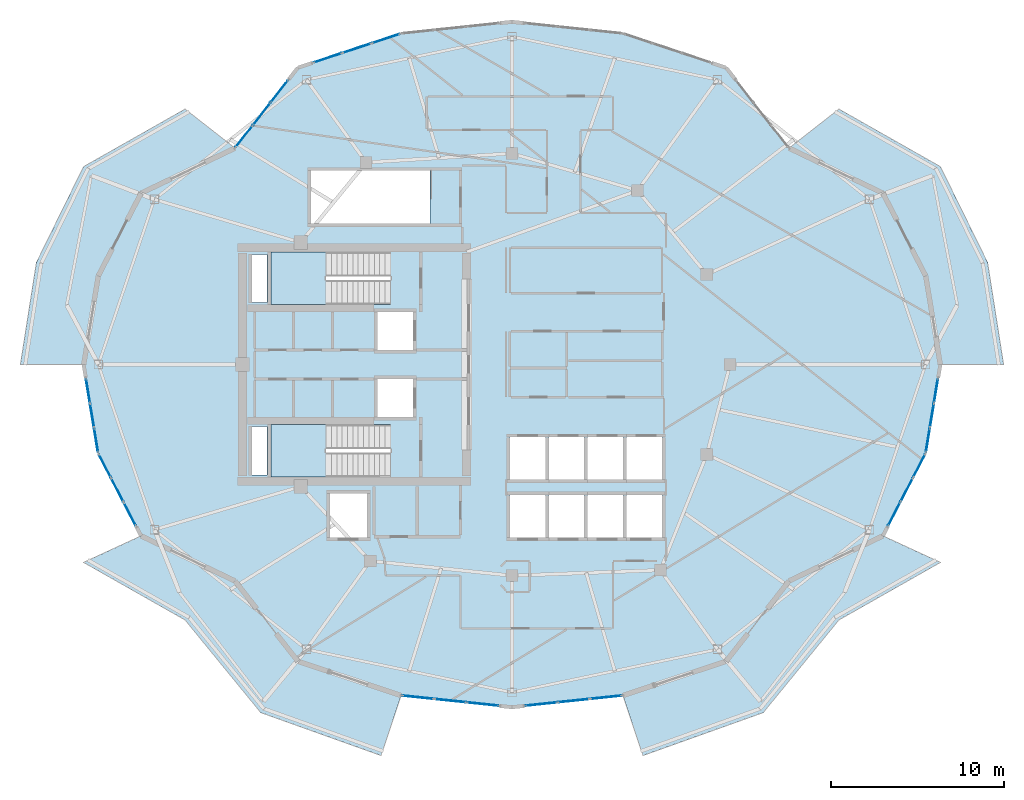
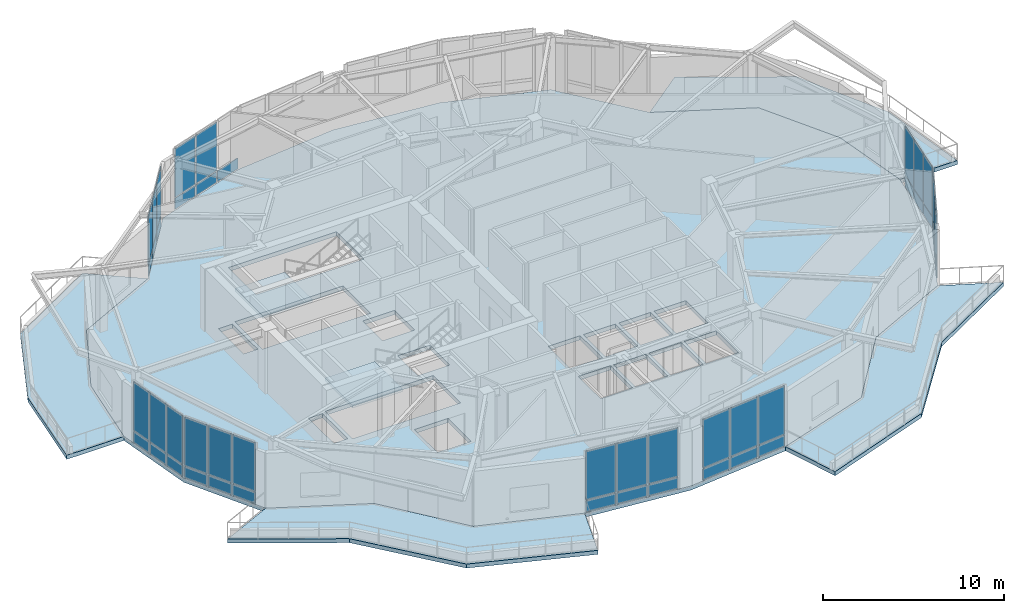
# One storey, part 7 of 15: 47 plates, 7 slabs, 10 elements without a shape of their own.
"""IFC4 building model written with IfcOpenShell, lengths in metres."""

from ifc_helpers import new_model, si_unit, direction, frame, origin, origin_2d, place, context, subcontext, project, spatial, polyline, rectangle, outline, extrude, material, layer, layer_set, type_object, element, aggregate, save


model = new_model("IFC4")

# Units and contexts
model_context = context("Model", 3, precision=1e-05, world=origin(), true_north=direction((0.0, 1.0)))
body_context = subcontext(model_context, "Body", "Model", "MODEL_VIEW")
ifc_project = project(units=[si_unit("LENGTHUNIT", "METRE"), si_unit("AREAUNIT", "SQUARE_METRE"), si_unit("VOLUMEUNIT", "CUBIC_METRE"), si_unit("PLANEANGLEUNIT", "RADIAN"), si_unit("MASSUNIT", "GRAM", prefix="KILO")], contexts=[model_context])

# Site, building, storey
site_placement = place(None, origin())
site = spatial("IfcSite", under=ifc_project, at=site_placement, CompositionType="ELEMENT")
building_placement = place(site_placement, origin())
building = spatial("IfcBuilding", under=site, at=building_placement, Name="Kolvaren Gate Tower and Convention Centre", CompositionType="ELEMENT")
storey_placement = place(building_placement, frame((0.0, 0.0, 191.89990234375)))
storey = spatial("IfcBuildingStorey", under=building, at=storey_placement, Name="L50", CompositionType="ELEMENT", Elevation=191.89990234375)

# Curtain wall, plates
ifc_material_1 = material(Name="Anodized Architectural Aluminium Alloy 6063-T6", Category="aluminium")
ifc_layer_1 = layer(ifc_material_1, 0.199951171875)
ifc_layer_set_1 = layer_set([ifc_layer_1], Name="Anodized Architectural Aluminium Alloy 6063-T6")
curtain_wall_type = type_object("IfcCurtainWallType", Name="CW-SKY-GLZ", PredefinedType="NOTDEFINED", material=ifc_layer_set_1)
curtain_wall_1_placement = place(storey_placement, origin())
curtain_wall_1 = element("IfcCurtainWall", 1, at=curtain_wall_1_placement, inside=storey, type_object=curtain_wall_type, Name="L50 Panoramic Structural Curtain Wall CW-07", PredefinedType="NOTDEFINED")
ifc_material_2 = material(Name="Low-E Triple Insulated Glazing Unit 44 mm", Category="glass")
ifc_layer_2 = layer(ifc_material_2, 0.0439453125)
ifc_layer_set_2 = layer_set([ifc_layer_2], Name="Low-E Triple Insulated Glazing Unit 44 mm")
plate_type_1 = type_object("IfcPlateType", Name="CW-PL-IGU-44", PredefinedType="CURTAIN_PANEL", material=ifc_layer_set_2)
plate_1_placement = place(storey_placement, frame((19.470703125, 44.717529296875, 0.887451171875), z_axis=(0.0, 0.0, 1.0), x_axis=(0.949239913474, 0.314552995008, 0.0)))
plate_1 = element("IfcPlate", 2, at=plate_1_placement, type_object=plate_type_1, Name="CW-05 panel 1.2", PredefinedType="CURTAIN_PANEL", context=body_context, shape_type="SweptSolid", body=[
    extrude(rectangle(XDim=1.685302734375, YDim=0.0439453125, at=origin_2d()), origin(), (0.0, 0.0, 1.0), 3.267578125),
])
plate_2_placement = place(storey_placement, frame((21.159423828125, 45.277099609375, 0.887451171875), z_axis=(0.0, 0.0, 1.0), x_axis=(0.949239913474, 0.314552995008, 0.0)))
plate_2 = element("IfcPlate", 3, at=plate_2_placement, type_object=plate_type_1, Name="CW-05 panel 2.2", PredefinedType="CURTAIN_PANEL", context=body_context, shape_type="SweptSolid", body=[
    extrude(rectangle(XDim=1.722900390625, YDim=0.0439453125, at=origin_2d()), origin(), (0.0, 0.0, 1.0), 3.267578125),
])

curtain_wall_2_placement = place(storey_placement, origin())
curtain_wall_2 = element("IfcCurtainWall", 4, at=curtain_wall_2_placement, inside=storey, type_object=curtain_wall_type, Name="L50 Panoramic Structural Curtain Wall CW-08", PredefinedType="NOTDEFINED")
plate_3_placement = place(storey_placement, frame((14.64453125, 40.180419921875, 0.887451171875), z_axis=(0.0, 0.0, 1.0), x_axis=(0.616429718179, 0.787409932974, 0.0)))
plate_3 = element("IfcPlate", 5, at=plate_3_placement, type_object=plate_type_1, Name="CW-05 panel 1.2", PredefinedType="CURTAIN_PANEL", context=body_context, shape_type="SweptSolid", body=[
    extrude(rectangle(XDim=1.559814453125, YDim=0.0439453125, at=origin_2d()), origin(), (0.0, 0.0, 1.0), 3.267578125),
])
plate_4_placement = place(storey_placement, frame((15.663818359375, 41.482421875, 0.887451171875), z_axis=(0.0, 0.0, 1.0), x_axis=(0.616429718179, 0.787409932974, 0.0)))
plate_4 = element("IfcPlate", 6, at=plate_4_placement, type_object=plate_type_1, Name="CW-05 panel 2.2", PredefinedType="CURTAIN_PANEL", context=body_context, shape_type="SweptSolid", body=[
    extrude(rectangle(XDim=1.597412109375, YDim=0.0439453125, at=origin_2d()), origin(), (0.0, 0.0, 1.0), 3.267578125),
])
plate_5_placement = place(storey_placement, frame((16.68310546875, 42.784423828125, 0.887451171875), z_axis=(0.0, 0.0, 1.0), x_axis=(0.616429718179, 0.787409932974, 0.0)))
plate_5 = element("IfcPlate", 7, at=plate_5_placement, type_object=plate_type_1, Name="CW-05 panel 3.2", PredefinedType="CURTAIN_PANEL", context=body_context, shape_type="SweptSolid", body=[
    extrude(rectangle(XDim=1.559814453125, YDim=0.0439453125, at=origin_2d()), origin(), (0.0, 0.0, 1.0), 3.267578125),
])

curtain_wall_3_placement = place(storey_placement, origin())
curtain_wall_3 = element("IfcCurtainWall", 8, at=curtain_wall_3_placement, inside=storey, type_object=curtain_wall_type, Name="L50 Panoramic Structural Curtain Wall CW-12", PredefinedType="NOTDEFINED")
plate_6_placement = place(storey_placement, frame((5.623779296875, 25.487548828125, 0.887451171875), z_axis=(0.0, 0.0, 1.0), x_axis=(0.162382406357, -0.98672790277, 0.0)))
plate_6 = element("IfcPlate", 9, at=plate_6_placement, type_object=plate_type_1, Name="CW-05 panel 1.2", PredefinedType="CURTAIN_PANEL", context=body_context, shape_type="SweptSolid", body=[
    extrude(rectangle(XDim=1.359375, YDim=0.0439453125, at=origin_2d()), origin(), (0.0, 0.0, 1.0), 3.267578125),
])
plate_7_placement = place(storey_placement, frame((5.85986328125, 24.053955078125, 0.887451171875), z_axis=(0.0, 0.0, 1.0), x_axis=(0.162382406357, -0.98672790277, 0.0)))
plate_7 = element("IfcPlate", 10, at=plate_7_placement, type_object=plate_type_1, Name="CW-05 panel 2.2", PredefinedType="CURTAIN_PANEL", context=body_context, shape_type="SweptSolid", body=[
    extrude(rectangle(XDim=1.396728515625, YDim=0.0439453125, at=origin_2d()), origin(), (0.0, 0.0, 1.0), 3.267578125),
])
plate_8_placement = place(storey_placement, frame((6.095703125, 22.6201171875, 0.887451171875), z_axis=(0.0, 0.0, 1.0), x_axis=(0.162382406357, -0.98672790277, 0.0)))
plate_8 = element("IfcPlate", 11, at=plate_8_placement, type_object=plate_type_1, Name="CW-05 panel 3.2", PredefinedType="CURTAIN_PANEL", context=body_context, shape_type="SweptSolid", body=[
    extrude(rectangle(XDim=1.359375, YDim=0.0439453125, at=origin_2d()), origin(), (0.0, 0.0, 1.0), 3.267578125),
])

curtain_wall_4_placement = place(storey_placement, origin())
curtain_wall_4 = element("IfcCurtainWall", 12, at=curtain_wall_4_placement, inside=storey, type_object=curtain_wall_type, Name="L50 Panoramic Structural Curtain Wall CW-13", PredefinedType="NOTDEFINED")
plate_9_placement = place(storey_placement, frame((6.593017578125, 21.15185546875, 0.887451171875), z_axis=(0.0, 0.0, 1.0), x_axis=(0.459798819197, -0.88802311111, 0.0)))
plate_9 = element("IfcPlate", 13, at=plate_9_placement, type_object=plate_type_1, Name="CW-05 panel 1.2", PredefinedType="CURTAIN_PANEL", context=body_context, shape_type="SweptSolid", body=[
    extrude(rectangle(XDim=1.4794921875, YDim=0.0439453125, at=origin_2d()), origin(), (0.0, 0.0, 1.0), 3.267578125),
])
plate_10_placement = place(storey_placement, frame((7.31640625, 19.7548828125, 0.887451171875), z_axis=(0.0, 0.0, 1.0), x_axis=(0.459798819197, -0.88802311111, 0.0)))
plate_10 = element("IfcPlate", 14, at=plate_10_placement, type_object=plate_type_1, Name="CW-05 panel 2.2", PredefinedType="CURTAIN_PANEL", context=body_context, shape_type="SweptSolid", body=[
    extrude(rectangle(XDim=1.51708984375, YDim=0.0439453125, at=origin_2d()), origin(), (0.0, 0.0, 1.0), 3.267578125),
])
plate_11_placement = place(storey_placement, frame((8.039794921875, 18.357666015625, 0.887451171875), z_axis=(0.0, 0.0, 1.0), x_axis=(0.459798819197, -0.88802311111, 0.0)))
plate_11 = element("IfcPlate", 15, at=plate_11_placement, type_object=plate_type_1, Name="CW-05 panel 3.2", PredefinedType="CURTAIN_PANEL", context=body_context, shape_type="SweptSolid", body=[
    extrude(rectangle(XDim=1.4794921875, YDim=0.0439453125, at=origin_2d()), origin(), (0.0, 0.0, 1.0), 3.267578125),
])

curtain_wall_5_placement = place(storey_placement, origin())
curtain_wall_5 = element("IfcCurtainWall", 16, at=curtain_wall_5_placement, inside=storey, type_object=curtain_wall_type, Name="L50 Panoramic Structural Curtain Wall CW-17", PredefinedType="NOTDEFINED")
plate_12_placement = place(storey_placement, frame((24.6845703125, 7.77294921875, 0.887451171875), z_axis=(0.0, 0.0, 1.0), x_axis=(0.994499215808, -0.104744020147, 0.0)))
plate_12 = element("IfcPlate", 17, at=plate_12_placement, type_object=plate_type_1, Name="CW-05 panel 1.2", PredefinedType="CURTAIN_PANEL", context=body_context, shape_type="SweptSolid", body=[
    extrude(rectangle(XDim=1.79150390625, YDim=0.0439453125, at=origin_2d()), origin(), (0.0, 0.0, 1.0), 3.267578125),
])
plate_13_placement = place(storey_placement, frame((26.5595703125, 7.575439453125, 0.887451171875), z_axis=(0.0, 0.0, 1.0), x_axis=(0.994499215808, -0.104744020147, 0.0)))
plate_13 = element("IfcPlate", 18, at=plate_13_placement, type_object=plate_type_1, Name="CW-05 panel 2.2", PredefinedType="CURTAIN_PANEL", context=body_context, shape_type="SweptSolid", body=[
    extrude(rectangle(XDim=1.8291015625, YDim=0.0439453125, at=origin_2d()), origin(), (0.0, 0.0, 1.0), 3.267578125),
])
plate_14_placement = place(storey_placement, frame((28.434326171875, 7.378173828125, 0.887451171875), z_axis=(0.0, 0.0, 1.0), x_axis=(0.994499215808, -0.104744020147, 0.0)))
plate_14 = element("IfcPlate", 19, at=plate_14_placement, type_object=plate_type_1, Name="CW-05 panel 3.2", PredefinedType="CURTAIN_PANEL", context=body_context, shape_type="SweptSolid", body=[
    extrude(rectangle(XDim=1.79150390625, YDim=0.0439453125, at=origin_2d()), origin(), (0.0, 0.0, 1.0), 3.267578125),
])

curtain_wall_6_placement = place(storey_placement, origin())
curtain_wall_6 = element("IfcCurtainWall", 20, at=curtain_wall_6_placement, inside=storey, type_object=curtain_wall_type, Name="L50 Panoramic Structural Curtain Wall CW-18", PredefinedType="NOTDEFINED")
plate_15_placement = place(storey_placement, frame((31.8154296875, 7.378173828125, 0.887451171875), z_axis=(0.0, 0.0, 1.0), x_axis=(0.994499599937, 0.104740372947, 0.0)))
plate_15 = element("IfcPlate", 21, at=plate_15_placement, type_object=plate_type_1, Name="CW-05 panel 1.2", PredefinedType="CURTAIN_PANEL", context=body_context, shape_type="SweptSolid", body=[
    extrude(rectangle(XDim=1.79150390625, YDim=0.0439453125, at=origin_2d()), origin(), (0.0, 0.0, 1.0), 3.267578125),
])
plate_16_placement = place(storey_placement, frame((33.6904296875, 7.575439453125, 0.887451171875), z_axis=(0.0, 0.0, 1.0), x_axis=(0.994499599937, 0.104740372947, 0.0)))
plate_16 = element("IfcPlate", 22, at=plate_16_placement, type_object=plate_type_1, Name="CW-05 panel 2.2", PredefinedType="CURTAIN_PANEL", context=body_context, shape_type="SweptSolid", body=[
    extrude(rectangle(XDim=1.8291015625, YDim=0.0439453125, at=origin_2d()), origin(), (0.0, 0.0, 1.0), 3.267578125),
])
plate_17_placement = place(storey_placement, frame((35.5654296875, 7.77294921875, 0.887451171875), z_axis=(0.0, 0.0, 1.0), x_axis=(0.994499599937, 0.104740372947, 0.0)))
plate_17 = element("IfcPlate", 23, at=plate_17_placement, type_object=plate_type_1, Name="CW-05 panel 3.2", PredefinedType="CURTAIN_PANEL", context=body_context, shape_type="SweptSolid", body=[
    extrude(rectangle(XDim=1.79150390625, YDim=0.0439453125, at=origin_2d()), origin(), (0.0, 0.0, 1.0), 3.267578125),
])

curtain_wall_7_placement = place(storey_placement, origin())
curtain_wall_7 = element("IfcCurtainWall", 24, at=curtain_wall_7_placement, inside=storey, type_object=curtain_wall_type, Name="L50 Panoramic Structural Curtain Wall CW-22", PredefinedType="NOTDEFINED")
plate_18_placement = place(storey_placement, frame((52.21044921875, 18.358154296875, 0.887451171875), z_axis=(0.0, 0.0, 1.0), x_axis=(0.459799993472, 0.888022503095, 0.0)))
plate_18 = element("IfcPlate", 25, at=plate_18_placement, type_object=plate_type_1, Name="CW-05 panel 1.2", PredefinedType="CURTAIN_PANEL", context=body_context, shape_type="SweptSolid", body=[
    extrude(rectangle(XDim=1.479248046875, YDim=0.0439453125, at=origin_2d()), origin(), (0.0, 0.0, 1.0), 3.267578125),
])
plate_19_placement = place(storey_placement, frame((52.933837890625, 19.7548828125, 0.887451171875), z_axis=(0.0, 0.0, 1.0), x_axis=(0.459799993472, 0.888022503095, 0.0)))
plate_19 = element("IfcPlate", 26, at=plate_19_placement, type_object=plate_type_1, Name="CW-05 panel 2.2", PredefinedType="CURTAIN_PANEL", context=body_context, shape_type="SweptSolid", body=[
    extrude(rectangle(XDim=1.516845703125, YDim=0.0439453125, at=origin_2d()), origin(), (0.0, 0.0, 1.0), 3.267578125),
])
plate_20_placement = place(storey_placement, frame((53.6572265625, 21.15185546875, 0.887451171875), z_axis=(0.0, 0.0, 1.0), x_axis=(0.459799993472, 0.888022503095, 0.0)))
plate_20 = element("IfcPlate", 27, at=plate_20_placement, type_object=plate_type_1, Name="CW-05 panel 3.2", PredefinedType="CURTAIN_PANEL", context=body_context, shape_type="SweptSolid", body=[
    extrude(rectangle(XDim=1.479248046875, YDim=0.0439453125, at=origin_2d()), origin(), (0.0, 0.0, 1.0), 3.267578125),
])

curtain_wall_8_placement = place(storey_placement, origin())
curtain_wall_8 = element("IfcCurtainWall", 28, at=curtain_wall_8_placement, inside=storey, type_object=curtain_wall_type, Name="L50 Panoramic Structural Curtain Wall CW-23", PredefinedType="NOTDEFINED")
plate_21_placement = place(storey_placement, frame((54.154296875, 22.6201171875, 0.887451171875), z_axis=(0.0, 0.0, 1.0), x_axis=(0.162364264646, 0.986730888118, 0.0)))
plate_21 = element("IfcPlate", 29, at=plate_21_placement, type_object=plate_type_1, Name="CW-05 panel 1.2", PredefinedType="CURTAIN_PANEL", context=body_context, shape_type="SweptSolid", body=[
    extrude(rectangle(XDim=1.359619140625, YDim=0.0439453125, at=origin_2d()), origin(), (0.0, 0.0, 1.0), 3.267578125),
])
plate_22_placement = place(storey_placement, frame((54.39013671875, 24.05419921875, 0.887451171875), z_axis=(0.0, 0.0, 1.0), x_axis=(0.162364264646, 0.986730888118, 0.0)))
plate_22 = element("IfcPlate", 30, at=plate_22_placement, type_object=plate_type_1, Name="CW-05 panel 2.2", PredefinedType="CURTAIN_PANEL", context=body_context, shape_type="SweptSolid", body=[
    extrude(rectangle(XDim=1.39697265625, YDim=0.0439453125, at=origin_2d()), origin(), (0.0, 0.0, 1.0), 3.267578125),
])
plate_23_placement = place(storey_placement, frame((54.626220703125, 25.488037109375, 0.887451171875), z_axis=(0.0, 0.0, 1.0), x_axis=(0.162364264646, 0.986730888118, 0.0)))
plate_23 = element("IfcPlate", 31, at=plate_23_placement, type_object=plate_type_1, Name="CW-05 panel 3.2", PredefinedType="CURTAIN_PANEL", context=body_context, shape_type="SweptSolid", body=[
    extrude(rectangle(XDim=1.359619140625, YDim=0.0439453125, at=origin_2d()), origin(), (0.0, 0.0, 1.0), 3.267578125),
])

# Plate
ifc_material_3 = material(Name="Solar-Control Laminated Curtain Glazing 36 mm", Category="glass")
ifc_layer_3 = layer(ifc_material_3, 0.035888671875)
ifc_layer_set_3 = layer_set([ifc_layer_3], Name="Solar-Control Laminated Curtain Glazing 36 mm")
plate_type_2 = type_object("IfcPlateType", Name="CW-PL-SPAN-36", PredefinedType="CURTAIN_PANEL", material=ifc_layer_set_3)
plate_24_placement = place(storey_placement, frame((19.470703125, 44.717529296875, 0.0751953125), z_axis=(0.0, 0.0, 1.0), x_axis=(0.949239913474, 0.314552995008, 0.0)))
plate_24 = element("IfcPlate", 32, at=plate_24_placement, type_object=plate_type_2, Name="CW-05 panel 1.1", PredefinedType="CURTAIN_PANEL", context=body_context, shape_type="SweptSolid", body=[
    extrude(rectangle(XDim=1.685302734375, YDim=0.035888671875, at=origin_2d()), origin(), (0.0, 0.0, 1.0), 0.737548828125),
])

plate_25_placement = place(storey_placement, frame((21.159423828125, 45.277099609375, 0.0751953125), z_axis=(0.0, 0.0, 1.0), x_axis=(0.949239913474, 0.314552995008, 0.0)))
plate_25 = element("IfcPlate", 33, at=plate_25_placement, type_object=plate_type_2, Name="CW-05 panel 2.1", PredefinedType="CURTAIN_PANEL", context=body_context, shape_type="SweptSolid", body=[
    extrude(rectangle(XDim=1.722900390625, YDim=0.035888671875, at=origin_2d()), origin(), (0.0, 0.0, 1.0), 0.737548828125),
])

plate_26_placement = place(storey_placement, frame((22.84814453125, 45.836669921875, 0.0751953125), z_axis=(0.0, 0.0, 1.0), x_axis=(0.949239913474, 0.314552995008, 0.0)))
plate_26 = element("IfcPlate", 34, at=plate_26_placement, type_object=plate_type_2, Name="CW-05 panel 3.1", PredefinedType="CURTAIN_PANEL", context=body_context, shape_type="SweptSolid", body=[
    extrude(rectangle(XDim=1.685302734375, YDim=0.035888671875, at=origin_2d()), origin(), (0.0, 0.0, 1.0), 0.737548828125),
])

aggregate(curtain_wall_1, [plate_24, plate_1, plate_25, plate_2, plate_26])

plate_27_placement = place(storey_placement, frame((14.64453125, 40.180419921875, 0.0751953125), z_axis=(0.0, 0.0, 1.0), x_axis=(0.616429718179, 0.787409932974, 0.0)))
plate_27 = element("IfcPlate", 35, at=plate_27_placement, type_object=plate_type_2, Name="CW-05 panel 1.1", PredefinedType="CURTAIN_PANEL", context=body_context, shape_type="SweptSolid", body=[
    extrude(rectangle(XDim=1.559814453125, YDim=0.035888671875, at=origin_2d()), origin(), (0.0, 0.0, 1.0), 0.737548828125),
])

plate_28_placement = place(storey_placement, frame((15.663818359375, 41.482421875, 0.0751953125), z_axis=(0.0, 0.0, 1.0), x_axis=(0.616429718179, 0.787409932974, 0.0)))
plate_28 = element("IfcPlate", 36, at=plate_28_placement, type_object=plate_type_2, Name="CW-05 panel 2.1", PredefinedType="CURTAIN_PANEL", context=body_context, shape_type="SweptSolid", body=[
    extrude(rectangle(XDim=1.597412109375, YDim=0.035888671875, at=origin_2d()), origin(), (0.0, 0.0, 1.0), 0.737548828125),
])

plate_29_placement = place(storey_placement, frame((16.68310546875, 42.784423828125, 0.0751953125), z_axis=(0.0, 0.0, 1.0), x_axis=(0.616429718179, 0.787409932974, 0.0)))
plate_29 = element("IfcPlate", 37, at=plate_29_placement, type_object=plate_type_2, Name="CW-05 panel 3.1", PredefinedType="CURTAIN_PANEL", context=body_context, shape_type="SweptSolid", body=[
    extrude(rectangle(XDim=1.559814453125, YDim=0.035888671875, at=origin_2d()), origin(), (0.0, 0.0, 1.0), 0.737548828125),
])

aggregate(curtain_wall_2, [plate_27, plate_3, plate_28, plate_4, plate_29, plate_5])

plate_30_placement = place(storey_placement, frame((5.623779296875, 25.487548828125, 0.0751953125), z_axis=(0.0, 0.0, 1.0), x_axis=(0.162382406357, -0.98672790277, 0.0)))
plate_30 = element("IfcPlate", 38, at=plate_30_placement, type_object=plate_type_2, Name="CW-05 panel 1.1", PredefinedType="CURTAIN_PANEL", context=body_context, shape_type="SweptSolid", body=[
    extrude(rectangle(XDim=1.359375, YDim=0.035888671875, at=origin_2d()), origin(), (0.0, 0.0, 1.0), 0.737548828125),
])

plate_31_placement = place(storey_placement, frame((5.85986328125, 24.053955078125, 0.0751953125), z_axis=(0.0, 0.0, 1.0), x_axis=(0.162382406357, -0.98672790277, 0.0)))
plate_31 = element("IfcPlate", 39, at=plate_31_placement, type_object=plate_type_2, Name="CW-05 panel 2.1", PredefinedType="CURTAIN_PANEL", context=body_context, shape_type="SweptSolid", body=[
    extrude(rectangle(XDim=1.396728515625, YDim=0.035888671875, at=origin_2d()), origin(), (0.0, 0.0, 1.0), 0.737548828125),
])

plate_32_placement = place(storey_placement, frame((6.095703125, 22.6201171875, 0.0751953125), z_axis=(0.0, 0.0, 1.0), x_axis=(0.162382406357, -0.98672790277, 0.0)))
plate_32 = element("IfcPlate", 40, at=plate_32_placement, type_object=plate_type_2, Name="CW-05 panel 3.1", PredefinedType="CURTAIN_PANEL", context=body_context, shape_type="SweptSolid", body=[
    extrude(rectangle(XDim=1.359375, YDim=0.035888671875, at=origin_2d()), origin(), (0.0, 0.0, 1.0), 0.737548828125),
])

aggregate(curtain_wall_3, [plate_30, plate_6, plate_31, plate_7, plate_32, plate_8])

plate_33_placement = place(storey_placement, frame((6.593017578125, 21.15185546875, 0.0751953125), z_axis=(0.0, 0.0, 1.0), x_axis=(0.459798819197, -0.88802311111, 0.0)))
plate_33 = element("IfcPlate", 41, at=plate_33_placement, type_object=plate_type_2, Name="CW-05 panel 1.1", PredefinedType="CURTAIN_PANEL", context=body_context, shape_type="SweptSolid", body=[
    extrude(rectangle(XDim=1.4794921875, YDim=0.035888671875, at=origin_2d()), origin(), (0.0, 0.0, 1.0), 0.737548828125),
])

plate_34_placement = place(storey_placement, frame((7.31640625, 19.7548828125, 0.0751953125), z_axis=(0.0, 0.0, 1.0), x_axis=(0.459798819197, -0.88802311111, 0.0)))
plate_34 = element("IfcPlate", 42, at=plate_34_placement, type_object=plate_type_2, Name="CW-05 panel 2.1", PredefinedType="CURTAIN_PANEL", context=body_context, shape_type="SweptSolid", body=[
    extrude(rectangle(XDim=1.51708984375, YDim=0.035888671875, at=origin_2d()), origin(), (0.0, 0.0, 1.0), 0.737548828125),
])

plate_35_placement = place(storey_placement, frame((8.039794921875, 18.357666015625, 0.0751953125), z_axis=(0.0, 0.0, 1.0), x_axis=(0.459798819197, -0.88802311111, 0.0)))
plate_35 = element("IfcPlate", 43, at=plate_35_placement, type_object=plate_type_2, Name="CW-05 panel 3.1", PredefinedType="CURTAIN_PANEL", context=body_context, shape_type="SweptSolid", body=[
    extrude(rectangle(XDim=1.4794921875, YDim=0.035888671875, at=origin_2d()), origin(), (0.0, 0.0, 1.0), 0.737548828125),
])

aggregate(curtain_wall_4, [plate_33, plate_9, plate_34, plate_10, plate_35, plate_11])

plate_36_placement = place(storey_placement, frame((24.6845703125, 7.77294921875, 0.0751953125), z_axis=(0.0, 0.0, 1.0), x_axis=(0.994499215808, -0.104744020147, 0.0)))
plate_36 = element("IfcPlate", 44, at=plate_36_placement, type_object=plate_type_2, Name="CW-05 panel 1.1", PredefinedType="CURTAIN_PANEL", context=body_context, shape_type="SweptSolid", body=[
    extrude(rectangle(XDim=1.79150390625, YDim=0.035888671875, at=origin_2d()), origin(), (0.0, 0.0, 1.0), 0.737548828125),
])

plate_37_placement = place(storey_placement, frame((26.5595703125, 7.575439453125, 0.0751953125), z_axis=(0.0, 0.0, 1.0), x_axis=(0.994499215808, -0.104744020147, 0.0)))
plate_37 = element("IfcPlate", 45, at=plate_37_placement, type_object=plate_type_2, Name="CW-05 panel 2.1", PredefinedType="CURTAIN_PANEL", context=body_context, shape_type="SweptSolid", body=[
    extrude(rectangle(XDim=1.8291015625, YDim=0.035888671875, at=origin_2d()), origin(), (0.0, 0.0, 1.0), 0.737548828125),
])

plate_38_placement = place(storey_placement, frame((28.434326171875, 7.378173828125, 0.0751953125), z_axis=(0.0, 0.0, 1.0), x_axis=(0.994499215808, -0.104744020147, 0.0)))
plate_38 = element("IfcPlate", 46, at=plate_38_placement, type_object=plate_type_2, Name="CW-05 panel 3.1", PredefinedType="CURTAIN_PANEL", context=body_context, shape_type="SweptSolid", body=[
    extrude(rectangle(XDim=1.79150390625, YDim=0.035888671875, at=origin_2d()), origin(), (0.0, 0.0, 1.0), 0.737548828125),
])

aggregate(curtain_wall_5, [plate_36, plate_12, plate_37, plate_13, plate_38, plate_14])

plate_39_placement = place(storey_placement, frame((31.8154296875, 7.378173828125, 0.0751953125), z_axis=(0.0, 0.0, 1.0), x_axis=(0.994499599937, 0.104740372947, 0.0)))
plate_39 = element("IfcPlate", 47, at=plate_39_placement, type_object=plate_type_2, Name="CW-05 panel 1.1", PredefinedType="CURTAIN_PANEL", context=body_context, shape_type="SweptSolid", body=[
    extrude(rectangle(XDim=1.79150390625, YDim=0.035888671875, at=origin_2d()), origin(), (0.0, 0.0, 1.0), 0.737548828125),
])

plate_40_placement = place(storey_placement, frame((33.6904296875, 7.575439453125, 0.0751953125), z_axis=(0.0, 0.0, 1.0), x_axis=(0.994499599937, 0.104740372947, 0.0)))
plate_40 = element("IfcPlate", 48, at=plate_40_placement, type_object=plate_type_2, Name="CW-05 panel 2.1", PredefinedType="CURTAIN_PANEL", context=body_context, shape_type="SweptSolid", body=[
    extrude(rectangle(XDim=1.8291015625, YDim=0.035888671875, at=origin_2d()), origin(), (0.0, 0.0, 1.0), 0.737548828125),
])

plate_41_placement = place(storey_placement, frame((35.5654296875, 7.77294921875, 0.0751953125), z_axis=(0.0, 0.0, 1.0), x_axis=(0.994499599937, 0.104740372947, 0.0)))
plate_41 = element("IfcPlate", 49, at=plate_41_placement, type_object=plate_type_2, Name="CW-05 panel 3.1", PredefinedType="CURTAIN_PANEL", context=body_context, shape_type="SweptSolid", body=[
    extrude(rectangle(XDim=1.79150390625, YDim=0.035888671875, at=origin_2d()), origin(), (0.0, 0.0, 1.0), 0.737548828125),
])

aggregate(curtain_wall_6, [plate_39, plate_15, plate_40, plate_16, plate_41, plate_17])

plate_42_placement = place(storey_placement, frame((52.21044921875, 18.358154296875, 0.0751953125), z_axis=(0.0, 0.0, 1.0), x_axis=(0.459799993472, 0.888022503095, 0.0)))
plate_42 = element("IfcPlate", 50, at=plate_42_placement, type_object=plate_type_2, Name="CW-05 panel 1.1", PredefinedType="CURTAIN_PANEL", context=body_context, shape_type="SweptSolid", body=[
    extrude(rectangle(XDim=1.479248046875, YDim=0.035888671875, at=origin_2d()), origin(), (0.0, 0.0, 1.0), 0.737548828125),
])

plate_43_placement = place(storey_placement, frame((52.933837890625, 19.7548828125, 0.0751953125), z_axis=(0.0, 0.0, 1.0), x_axis=(0.459799993472, 0.888022503095, 0.0)))
plate_43 = element("IfcPlate", 51, at=plate_43_placement, type_object=plate_type_2, Name="CW-05 panel 2.1", PredefinedType="CURTAIN_PANEL", context=body_context, shape_type="SweptSolid", body=[
    extrude(rectangle(XDim=1.516845703125, YDim=0.035888671875, at=origin_2d()), origin(), (0.0, 0.0, 1.0), 0.737548828125),
])

plate_44_placement = place(storey_placement, frame((53.6572265625, 21.15185546875, 0.0751953125), z_axis=(0.0, 0.0, 1.0), x_axis=(0.459799993472, 0.888022503095, 0.0)))
plate_44 = element("IfcPlate", 52, at=plate_44_placement, type_object=plate_type_2, Name="CW-05 panel 3.1", PredefinedType="CURTAIN_PANEL", context=body_context, shape_type="SweptSolid", body=[
    extrude(rectangle(XDim=1.479248046875, YDim=0.035888671875, at=origin_2d()), origin(), (0.0, 0.0, 1.0), 0.737548828125),
])

aggregate(curtain_wall_7, [plate_42, plate_18, plate_43, plate_19, plate_44, plate_20])

plate_45_placement = place(storey_placement, frame((54.154296875, 22.6201171875, 0.0751953125), z_axis=(0.0, 0.0, 1.0), x_axis=(0.162364264646, 0.986730888118, 0.0)))
plate_45 = element("IfcPlate", 53, at=plate_45_placement, type_object=plate_type_2, Name="CW-05 panel 1.1", PredefinedType="CURTAIN_PANEL", context=body_context, shape_type="SweptSolid", body=[
    extrude(rectangle(XDim=1.359619140625, YDim=0.035888671875, at=origin_2d()), origin(), (0.0, 0.0, 1.0), 0.737548828125),
])

plate_46_placement = place(storey_placement, frame((54.39013671875, 24.05419921875, 0.0751953125), z_axis=(0.0, 0.0, 1.0), x_axis=(0.162364264646, 0.986730888118, 0.0)))
plate_46 = element("IfcPlate", 54, at=plate_46_placement, type_object=plate_type_2, Name="CW-05 panel 2.1", PredefinedType="CURTAIN_PANEL", context=body_context, shape_type="SweptSolid", body=[
    extrude(rectangle(XDim=1.39697265625, YDim=0.035888671875, at=origin_2d()), origin(), (0.0, 0.0, 1.0), 0.737548828125),
])

plate_47_placement = place(storey_placement, frame((54.626220703125, 25.488037109375, 0.0751953125), z_axis=(0.0, 0.0, 1.0), x_axis=(0.162364264646, 0.986730888118, 0.0)))
plate_47 = element("IfcPlate", 55, at=plate_47_placement, type_object=plate_type_2, Name="CW-05 panel 3.1", PredefinedType="CURTAIN_PANEL", context=body_context, shape_type="SweptSolid", body=[
    extrude(rectangle(XDim=1.359619140625, YDim=0.035888671875, at=origin_2d()), origin(), (0.0, 0.0, 1.0), 0.737548828125),
])

aggregate(curtain_wall_8, [plate_45, plate_21, plate_46, plate_22, plate_47, plate_23])

# Slabs
ifc_material_4 = material(Name="Concrete C50/60", Category="concrete")
ifc_layer_4 = layer(ifc_material_4, 0.27001953125)
ifc_layer_set_4 = layer_set([ifc_layer_4], Name="Concrete C50/60")
slab_type_1 = type_object("IfcSlabType", Name="STR-SL-BALC-270", PredefinedType="FLOOR", material=ifc_layer_set_4)
slab_1_placement = place(storey_placement, frame((0.0, 0.0, -0.27001953125)))
element("IfcSlab", 56, at=slab_1_placement, inside=storey, type_object=slab_type_1, Name="Tower L50 Planted Balcony Terrace Slab 1 (East)", PredefinedType="FLOOR", context=body_context, shape_type="SweptSolid", body=[
    extrude(outline(polyline([(54.875, 27.0), (54.03173828125, 32.12451171875), (51.55908203125, 36.89990234375), (46.132568359375, 39.50732421875), (49.0166015625, 41.7607421875), (54.8818359375, 38.434814453125), (57.6103515625, 32.8916015625), (58.534912109375, 27.0), (54.875, 27.0)])), origin(), (0.0, 0.0, 1.0), 0.27001953125),
])
slab_2_placement = place(storey_placement, frame((0.0, 0.0, -0.27001953125)))
element("IfcSlab", 57, at=slab_2_placement, inside=storey, type_object=slab_type_1, Name="Tower L50 Planted Balcony Terrace Slab 2 (West)", PredefinedType="FLOOR", context=body_context, shape_type="SweptSolid", body=[
    extrude(outline(polyline([(14.117431640625, 39.50732421875), (8.69091796875, 36.89990234375), (6.21826171875, 32.12451171875), (5.375, 27.0), (1.715087890625, 27.0), (2.6396484375, 32.8916015625), (5.3681640625, 38.434814453125), (11.2333984375, 41.7607421875), (14.117431640625, 39.50732421875)])), origin(), (0.0, 0.0, 1.0), 0.27001953125),
])
slab_3_placement = place(storey_placement, frame((0.0, 0.0, -0.27001953125)))
element("IfcSlab", 58, at=slab_3_placement, inside=storey, type_object=slab_type_1, Name="Tower L50 Planted Balcony Terrace Slab 3 (South)", PredefinedType="FLOOR", context=body_context, shape_type="SweptSolid", body=[
    extrude(outline(polyline([(8.69091796875, 17.10009765625), (14.117431640625, 14.49267578125), (17.75, 9.852783203125), (23.71923828125, 7.874755859375), (22.556884765625, 4.404296875), (15.608154296875, 6.885009765625), (11.2333984375, 12.2392578125), (5.3681640625, 15.565185546875), (8.69091796875, 17.10009765625)])), origin(), (0.0, 0.0, 1.0), 0.27001953125),
])
slab_4_placement = place(storey_placement, frame((0.0, 0.0, -0.27001953125)))
element("IfcSlab", 59, at=slab_4_placement, inside=storey, type_object=slab_type_1, Name="Tower L50 Planted Balcony Terrace Slab 4 (South)", PredefinedType="FLOOR", context=body_context, shape_type="SweptSolid", body=[
    extrude(outline(polyline([(36.53076171875, 7.874755859375), (42.5, 9.852783203125), (46.132568359375, 14.49267578125), (51.55908203125, 17.10009765625), (54.8818359375, 15.565185546875), (49.0166015625, 12.2392578125), (44.641845703125, 6.885009765625), (37.693115234375, 4.404296875), (36.53076171875, 7.874755859375)])), origin(), (0.0, 0.0, 1.0), 0.27001953125),
])
ifc_layer_5 = layer(ifc_material_4, 0.280029296875)
ifc_layer_set_5 = layer_set([ifc_layer_5], Name="Concrete C50/60")
slab_type_2 = type_object("IfcSlabType", Name="STR-SL-FLR-280", PredefinedType="FLOOR", material=ifc_layer_set_5)
slab_5_placement = place(storey_placement, frame((0.0, 0.0, -0.27978515625)))
element("IfcSlab", 60, at=slab_5_placement, inside=storey, type_object=slab_type_2, Name="Tower L50 Structural Floor Slab", PredefinedType="FLOOR", context=body_context, shape_type="SweptSolid", body=[
    extrude(outline(polyline([(54.875, 27.0), (54.03173828125, 32.12451171875), (51.55908203125, 36.89990234375), (46.132568359375, 39.50732421875), (42.5, 44.147216796875), (36.53076171875, 46.125244140625), (30.125, 46.800048828125), (23.71923828125, 46.125244140625), (17.75, 44.147216796875), (14.117431640625, 39.50732421875), (8.69091796875, 36.89990234375), (6.21826171875, 32.12451171875), (5.375, 27.0), (6.21826171875, 21.87548828125), (8.69091796875, 17.10009765625), (14.117431640625, 14.49267578125), (17.75, 9.852783203125), (23.71923828125, 7.874755859375), (30.125, 7.199951171875), (36.53076171875, 7.874755859375), (42.5, 9.852783203125), (46.132568359375, 14.49267578125), (51.55908203125, 17.10009765625), (54.03173828125, 21.87548828125), (54.875, 27.0)]), holes=[polyline([(36.75, 17.0), (36.75, 19.449951171875), (38.800048828125, 19.449951171875), (38.800048828125, 17.0), (36.75, 17.0)]), polyline([(36.75, 20.35009765625), (36.75, 22.800048828125), (38.800048828125, 22.800048828125), (38.800048828125, 20.35009765625), (36.75, 20.35009765625)]), polyline([(34.5, 17.0), (34.5, 19.449951171875), (36.550048828125, 19.449951171875), (36.550048828125, 17.0), (34.5, 17.0)]), polyline([(34.5, 20.35009765625), (34.5, 22.800048828125), (36.550048828125, 22.800048828125), (36.550048828125, 20.35009765625), (34.5, 20.35009765625)]), polyline([(32.25, 17.0), (32.25, 19.449951171875), (34.300048828125, 19.449951171875), (34.300048828125, 17.0), (32.25, 17.0)]), polyline([(32.25, 20.35009765625), (32.25, 22.800048828125), (34.300048828125, 22.800048828125), (34.300048828125, 20.35009765625), (32.25, 20.35009765625)]), polyline([(30.0, 17.0), (30.0, 19.449951171875), (32.050048828125, 19.449951171875), (32.050048828125, 17.0), (30.0, 17.0)]), polyline([(30.0, 20.35009765625), (30.0, 22.800048828125), (32.050048828125, 22.800048828125), (32.050048828125, 20.35009765625), (30.0, 20.35009765625)]), polyline([(25.39990234375, 38.199951171875), (25.39990234375, 35.159912109375), (18.5, 35.159912109375), (18.5, 38.199951171875), (25.39990234375, 38.199951171875)]), polyline([(22.35009765625, 23.9599609375), (22.35009765625, 26.159912109375), (24.39990234375, 26.159912109375), (24.39990234375, 23.9599609375), (22.35009765625, 23.9599609375)]), polyline([(22.35009765625, 27.840087890625), (22.35009765625, 30.0400390625), (24.39990234375, 30.0400390625), (24.39990234375, 27.840087890625), (22.35009765625, 27.840087890625)]), polyline([(23.10009765625, 23.5400390625), (23.10009765625, 20.5), (16.199951171875, 20.5), (16.199951171875, 23.5400390625), (23.10009765625, 23.5400390625)]), polyline([(23.10009765625, 33.5), (23.10009765625, 30.4599609375), (16.199951171875, 30.4599609375), (16.199951171875, 33.5), (23.10009765625, 33.5)]), polyline([(19.60009765625, 17.0), (19.60009765625, 19.550048828125), (21.75, 19.550048828125), (21.75, 17.0), (19.60009765625, 17.0)]), polyline([(15.080078125, 20.6298828125), (15.080078125, 23.419921875), (15.969970703125, 23.419921875), (15.969970703125, 20.6298828125), (15.080078125, 20.6298828125)]), polyline([(15.080078125, 30.580078125), (15.080078125, 33.3701171875), (15.969970703125, 33.3701171875), (15.969970703125, 30.580078125), (15.080078125, 30.580078125)])]), origin(), (0.0, 0.0, 1.0), 0.27978515625),
])

# Stair, slab
stair_type = type_object("IfcStairType", Name="STR-STAIR-CORE", PredefinedType="HALF_TURN_STAIR", material=ifc_material_4)
stair_1_placement = place(storey_placement, origin())
stair_1 = element("IfcStair", 61, at=stair_1_placement, inside=storey, type_object=stair_type, Name="L50 Tower North Exit Stair ST-T1", PredefinedType="HALF_TURN_STAIR")
ifc_layer_6 = layer(ifc_material_4, 0.199951171875)
ifc_layer_set_6 = layer_set([ifc_layer_6], Name="Concrete C50/60")
slab_type_3 = type_object("IfcSlabType", Name="STR-SL-LAND-200", PredefinedType="LANDING", material=ifc_layer_set_6)
slab_6_placement = place(storey_placement, frame((0.0, 0.0, 2.050048828125)))
slab_6 = element("IfcSlab", 62, at=slab_6_placement, type_object=slab_type_3, Name="ST-T1 landing 1", PredefinedType="LANDING", context=body_context, shape_type="SweptSolid", body=[
    extrude(outline(polyline([(19.3798828125, 33.5), (16.199951171875, 33.5), (16.199951171875, 30.4599609375), (19.3798828125, 30.4599609375), (19.3798828125, 33.5)])), origin(), (0.0, 0.0, 1.0), 0.199951171875),
])
aggregate(stair_1, [slab_6])

stair_2_placement = place(storey_placement, origin())
stair_2 = element("IfcStair", 63, at=stair_2_placement, inside=storey, type_object=stair_type, Name="L50 Tower South Exit Stair ST-T2", PredefinedType="HALF_TURN_STAIR")
slab_7_placement = place(storey_placement, frame((0.0, 0.0, 2.050048828125)))
slab_7 = element("IfcSlab", 64, at=slab_7_placement, type_object=slab_type_3, Name="ST-T2 landing 1", PredefinedType="LANDING", context=body_context, shape_type="SweptSolid", body=[
    extrude(outline(polyline([(19.3798828125, 23.5400390625), (16.199951171875, 23.5400390625), (16.199951171875, 20.5), (19.3798828125, 20.5), (19.3798828125, 23.5400390625)])), origin(), (0.0, 0.0, 1.0), 0.199951171875),
])
aggregate(stair_2, [slab_7])

save(model, "model.ifc")
